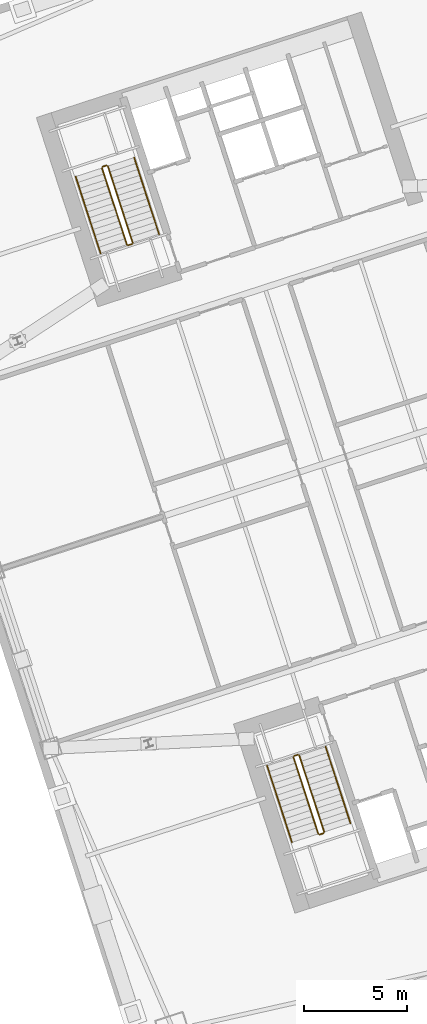
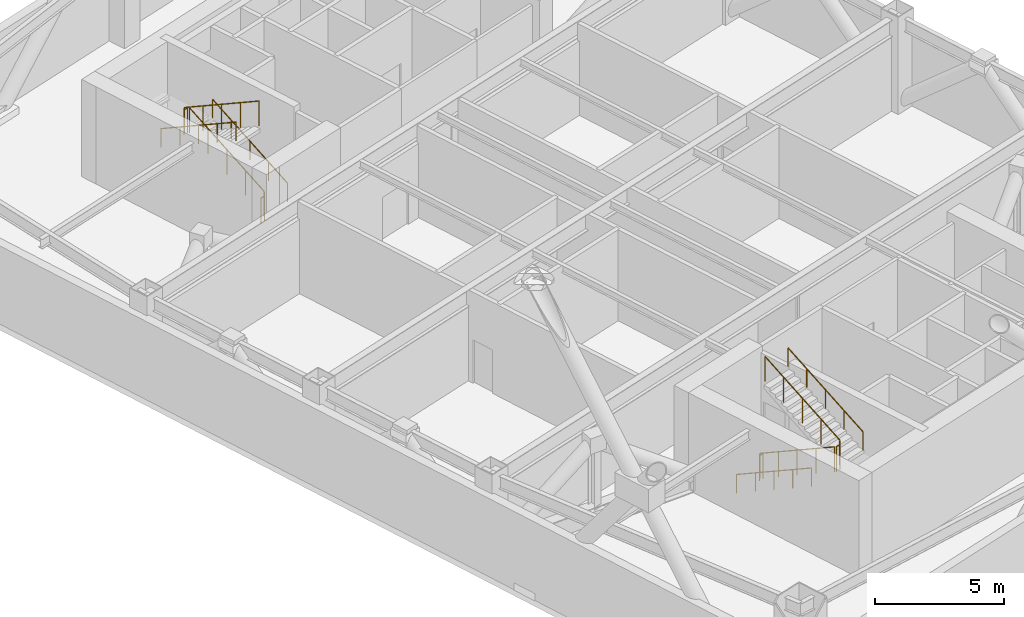
# One storey, part 19 of 19: 12 railings.
"""IFC4 building model written with IfcOpenShell, lengths in metres."""

from ifc_helpers import new_model, si_unit, direction, frame, origin, origin_2d, place, context, subcontext, project, spatial, circle, extrude, material, type_object, element, save


model = new_model("IFC4")

# Units and contexts
model_context = context("Model", 3, precision=1e-05, world=origin(), true_north=direction((0.0, 1.0)))
body_context = subcontext(model_context, "Body", "Model", "MODEL_VIEW")
ifc_project = project(units=[si_unit("LENGTHUNIT", "METRE"), si_unit("AREAUNIT", "SQUARE_METRE"), si_unit("VOLUMEUNIT", "CUBIC_METRE"), si_unit("PLANEANGLEUNIT", "RADIAN"), si_unit("MASSUNIT", "GRAM", prefix="KILO")], contexts=[model_context])

# Site, building, storey
site_placement = place(None, origin())
site = spatial("IfcSite", under=ifc_project, at=site_placement, CompositionType="ELEMENT")
building_placement = place(site_placement, origin())
building = spatial("IfcBuilding", under=site, at=building_placement, Name="Qiaolan Cultural Towers", CompositionType="ELEMENT")
storey_placement = place(building_placement, frame((0.0, 0.0, 92.0)))
storey = spatial("IfcBuildingStorey", under=building, at=storey_placement, Name="L23", CompositionType="ELEMENT", Elevation=92.0)

# Railings
ifc_material_1 = material(Name="Galvanized Painted Steel Stair Guardrail", Category="steel")
railing_type_1 = type_object("IfcRailingType", Name="RL-STAIR-GRD", PredefinedType="GUARDRAIL", material=ifc_material_1)
railing_1_placement = place(storey_placement, frame((88.60205078125, 19.82421875, 0.164306640625)))
element("IfcRailing", 1, at=railing_1_placement, inside=storey, type_object=railing_type_1, Name="L23 ST-E1 stair guard 1", PredefinedType="GUARDRAIL", context=body_context, shape_type="SweptSolid", body=[
    extrude(circle(Radius=0.02392578125, at=origin_2d()), frame((0.0, 0.0, 1.17578125), z_axis=(0.271063841875, -0.834165069801, 0.480305142541), x_axis=(0.951047408346, 0.309045024354, 0.0)), (0.0, 0.0, 1.0), 4.446533203125),
    extrude(circle(Radius=0.02099609375, at=origin_2d()), origin(), (0.0, 0.0, 1.0), 1.15185546875),
    extrude(circle(Radius=0.02099609375, at=origin_2d()), frame((0.30126953125, -0.92724609375, 0.533935546875)), (0.0, 0.0, 1.0), 1.15185546875),
    extrude(circle(Radius=0.02099609375, at=origin_2d()), frame((0.6025390625, -1.8544921875, 1.06787109375)), (0.0, 0.0, 1.0), 1.15185546875),
    extrude(circle(Radius=0.02099609375, at=origin_2d()), frame((0.904052734375, -2.781982421875, 1.601806640625)), (0.0, 0.0, 1.0), 1.15185546875),
    extrude(circle(Radius=0.02099609375, at=origin_2d()), frame((1.205322265625, -3.709228515625, 2.1357421875)), (0.0, 0.0, 1.0), 1.15185546875),
])
railing_2_placement = place(storey_placement, frame((89.870361328125, 16.0830078125, 2.300048828125)))
element("IfcRailing", 2, at=railing_2_placement, inside=storey, type_object=railing_type_1, Name="L23 ST-E1 stair guard 2", PredefinedType="GUARDRAIL", context=body_context, shape_type="SweptSolid", body=[
    extrude(circle(Radius=0.02392578125, at=origin_2d()), frame((0.0, 0.0, 1.17578125), z_axis=(0.951096855055, 0.308892816854, 0.0), x_axis=(-0.308892816854, 0.951096855055, 0.0)), (0.0, 0.0, 1.0), 0.199951171875),
    extrude(circle(Radius=0.02099609375, at=origin_2d()), origin(), (0.0, 0.0, 1.0), 1.15185546875),
    extrude(circle(Radius=0.02099609375, at=origin_2d()), frame((0.190185546875, 0.061767578125, 0.0)), (0.0, 0.0, 1.0), 1.15185546875),
])
railing_3_placement = place(storey_placement, frame((90.092529296875, 16.207763671875, 2.46435546875)))
element("IfcRailing", 3, at=railing_3_placement, inside=storey, type_object=railing_type_1, Name="L23 ST-E1 stair guard 3", PredefinedType="GUARDRAIL", context=body_context, shape_type="SweptSolid", body=[
    extrude(circle(Radius=0.02392578125, at=origin_2d()), frame((0.0, 0.0, 1.17578125), z_axis=(-0.27101297032, 0.834177483402, 0.480312290186), x_axis=(-0.951065805522, -0.308988403611, 0.0)), (0.0, 0.0, 1.0), 4.446533203125),
    extrude(circle(Radius=0.02099609375, at=origin_2d()), origin(), (0.0, 0.0, 1.0), 1.15185546875),
    extrude(circle(Radius=0.02099609375, at=origin_2d()), frame((-0.30126953125, 0.92724609375, 0.533935546875)), (0.0, 0.0, 1.0), 1.15185546875),
    extrude(circle(Radius=0.02099609375, at=origin_2d()), frame((-0.6025390625, 1.8544921875, 1.06787109375)), (0.0, 0.0, 1.0), 1.15185546875),
    extrude(circle(Radius=0.02099609375, at=origin_2d()), frame((-0.90380859375, 2.781982421875, 1.601806640625)), (0.0, 0.0, 1.0), 1.15185546875),
    extrude(circle(Radius=0.02099609375, at=origin_2d()), frame((-1.205078125, 3.709228515625, 2.1357421875)), (0.0, 0.0, 1.0), 1.15185546875),
])
railing_4_placement = place(storey_placement, frame((88.63427734375, 19.88720703125, 0.0)))
element("IfcRailing", 4, at=railing_4_placement, inside=storey, type_object=railing_type_1, Name="L23 ST-E1 stair guard 4", PredefinedType="GUARDRAIL", context=body_context, shape_type="SweptSolid", body=[
    extrude(circle(Radius=0.02392578125, at=origin_2d()), frame((0.0, 0.0, 1.17578125), z_axis=(0.951096855055, 0.308892816854, 0.0), x_axis=(-0.308892816854, 0.951096855055, 0.0)), (0.0, 0.0, 1.0), 0.199951171875),
    extrude(circle(Radius=0.02099609375, at=origin_2d()), origin(), (0.0, 0.0, 1.0), 1.15185546875),
    extrude(circle(Radius=0.02099609375, at=origin_2d()), frame((0.190185546875, 0.061767578125, 0.0)), (0.0, 0.0, 1.0), 1.15185546875),
])
railing_5_placement = place(storey_placement, frame((80.822021484375, 44.739501953125, 0.164306640625)))
element("IfcRailing", 5, at=railing_5_placement, inside=storey, type_object=railing_type_1, Name="L23 ST-E2 stair guard 1", PredefinedType="GUARDRAIL", context=body_context, shape_type="SweptSolid", body=[
    extrude(circle(Radius=0.02392578125, at=origin_2d()), frame((0.0, 0.0, 1.17578125), z_axis=(-0.27101297032, 0.834177483402, 0.480312290186), x_axis=(-0.951065805522, -0.308988403611, 0.0)), (0.0, 0.0, 1.0), 4.446533203125),
    extrude(circle(Radius=0.02099609375, at=origin_2d()), origin(), (0.0, 0.0, 1.0), 1.15185546875),
    extrude(circle(Radius=0.02099609375, at=origin_2d()), frame((-0.30126953125, 0.92724609375, 0.533935546875)), (0.0, 0.0, 1.0), 1.15185546875),
    extrude(circle(Radius=0.02099609375, at=origin_2d()), frame((-0.6025390625, 1.8544921875, 1.06787109375)), (0.0, 0.0, 1.0), 1.15185546875),
    extrude(circle(Radius=0.02099609375, at=origin_2d()), frame((-0.90380859375, 2.781982421875, 1.601806640625)), (0.0, 0.0, 1.0), 1.15185546875),
    extrude(circle(Radius=0.02099609375, at=origin_2d()), frame((-1.205078125, 3.709228515625, 2.1357421875)), (0.0, 0.0, 1.0), 1.15185546875),
])
railing_6_placement = place(storey_placement, frame((79.553955078125, 48.480712890625, 2.300048828125)))
element("IfcRailing", 6, at=railing_6_placement, inside=storey, type_object=railing_type_1, Name="L23 ST-E2 stair guard 2", PredefinedType="GUARDRAIL", context=body_context, shape_type="SweptSolid", body=[
    extrude(circle(Radius=0.02392578125, at=origin_2d()), frame((0.0, 0.0, 1.17578125), z_axis=(-0.951096855055, -0.308892816854, 0.0), x_axis=(0.308892816854, -0.951096855055, 0.0)), (0.0, 0.0, 1.0), 0.199951171875),
    extrude(circle(Radius=0.02099609375, at=origin_2d()), origin(), (0.0, 0.0, 1.0), 1.15185546875),
    extrude(circle(Radius=0.02099609375, at=origin_2d()), frame((-0.190185546875, -0.061767578125, 0.0)), (0.0, 0.0, 1.0), 1.15185546875),
])
railing_7_placement = place(storey_placement, frame((79.33154296875, 48.35595703125, 2.46435546875)))
element("IfcRailing", 7, at=railing_7_placement, inside=storey, type_object=railing_type_1, Name="L23 ST-E2 stair guard 3", PredefinedType="GUARDRAIL", context=body_context, shape_type="SweptSolid", body=[
    extrude(circle(Radius=0.02392578125, at=origin_2d()), frame((0.0, 0.0, 1.17578125), z_axis=(0.271063841875, -0.834165069801, 0.480305142541), x_axis=(0.951047408346, 0.309045024354, 0.0)), (0.0, 0.0, 1.0), 4.446533203125),
    extrude(circle(Radius=0.02099609375, at=origin_2d()), origin(), (0.0, 0.0, 1.0), 1.15185546875),
    extrude(circle(Radius=0.02099609375, at=origin_2d()), frame((0.30126953125, -0.92724609375, 0.533935546875)), (0.0, 0.0, 1.0), 1.15185546875),
    extrude(circle(Radius=0.02099609375, at=origin_2d()), frame((0.6025390625, -1.8544921875, 1.06787109375)), (0.0, 0.0, 1.0), 1.15185546875),
    extrude(circle(Radius=0.02099609375, at=origin_2d()), frame((0.904052734375, -2.781982421875, 1.601806640625)), (0.0, 0.0, 1.0), 1.15185546875),
    extrude(circle(Radius=0.02099609375, at=origin_2d()), frame((1.205322265625, -3.709228515625, 2.1357421875)), (0.0, 0.0, 1.0), 1.15185546875),
])
railing_8_placement = place(storey_placement, frame((80.7900390625, 44.676513671875, 0.0)))
element("IfcRailing", 8, at=railing_8_placement, inside=storey, type_object=railing_type_1, Name="L23 ST-E2 stair guard 4", PredefinedType="GUARDRAIL", context=body_context, shape_type="SweptSolid", body=[
    extrude(circle(Radius=0.02392578125, at=origin_2d()), frame((0.0, 0.0, 1.17578125), z_axis=(-0.951096855055, -0.308892816854, 0.0), x_axis=(0.308892816854, -0.951096855055, 0.0)), (0.0, 0.0, 1.0), 0.199951171875),
    extrude(circle(Radius=0.02099609375, at=origin_2d()), origin(), (0.0, 0.0, 1.0), 1.15185546875),
    extrude(circle(Radius=0.02099609375, at=origin_2d()), frame((-0.190185546875, -0.061767578125, 0.0)), (0.0, 0.0, 1.0), 1.15185546875),
])
ifc_material_2 = material(Name="Stainless Steel S30408 Tubular Handrail", Category="steel")
railing_type_2 = type_object("IfcRailingType", Name="RL-STAIR-HR", PredefinedType="HANDRAIL", material=ifc_material_2)
railing_9_placement = place(storey_placement, frame((87.32763671875, 19.41015625, 0.164306640625)))
element("IfcRailing", 9, at=railing_9_placement, inside=storey, type_object=railing_type_2, Name="L23 ST-E1 stair handrail 1", PredefinedType="HANDRAIL", context=body_context, shape_type="SweptSolid", body=[
    extrude(circle(Radius=0.02392578125, at=origin_2d()), frame((0.0, 0.0, 0.8759765625), z_axis=(0.271063841875, -0.834165069801, 0.480305142541), x_axis=(0.951047408346, 0.309045024354, 0.0)), (0.0, 0.0, 1.0), 4.446533203125),
    extrude(circle(Radius=0.02099609375, at=origin_2d()), origin(), (0.0, 0.0, 1.0), 0.851806640625),
    extrude(circle(Radius=0.02099609375, at=origin_2d()), frame((0.30126953125, -0.92724609375, 0.533935546875)), (0.0, 0.0, 1.0), 0.851806640625),
    extrude(circle(Radius=0.02099609375, at=origin_2d()), frame((0.6025390625, -1.8544921875, 1.06787109375)), (0.0, 0.0, 1.0), 0.851806640625),
    extrude(circle(Radius=0.02099609375, at=origin_2d()), frame((0.904052734375, -2.781982421875, 1.601806640625)), (0.0, 0.0, 1.0), 0.851806640625),
    extrude(circle(Radius=0.02099609375, at=origin_2d()), frame((1.205322265625, -3.709228515625, 2.1357421875)), (0.0, 0.0, 1.0), 0.851806640625),
])
for number, where, name in (
    (10, (91.366943359375, 16.621826171875, 2.46435546875), "L23 ST-E1 stair handrail 2"),
    (11, (82.096435546875, 45.153564453125, 0.164306640625), "L23 ST-E2 stair handrail 1"),
):
    element("IfcRailing", number, at=place(storey_placement, frame(where)), inside=storey, type_object=railing_type_2, Name=name, PredefinedType="HANDRAIL", context=body_context, shape_type="SweptSolid", body=[
        extrude(circle(Radius=0.02392578125, at=origin_2d()), frame((0.0, 0.0, 0.8759765625), z_axis=(-0.27101297032, 0.834177483402, 0.480312290186), x_axis=(-0.951065805522, -0.308988403611, 0.0)), (0.0, 0.0, 1.0), 4.446533203125),
        extrude(circle(Radius=0.02099609375, at=origin_2d()), origin(), (0.0, 0.0, 1.0), 0.851806640625),
        extrude(circle(Radius=0.02099609375, at=origin_2d()), frame((-0.30126953125, 0.92724609375, 0.533935546875)), (0.0, 0.0, 1.0), 0.851806640625),
        extrude(circle(Radius=0.02099609375, at=origin_2d()), frame((-0.6025390625, 1.8544921875, 1.06787109375)), (0.0, 0.0, 1.0), 0.851806640625),
        extrude(circle(Radius=0.02099609375, at=origin_2d()), frame((-0.90380859375, 2.781982421875, 1.601806640625)), (0.0, 0.0, 1.0), 0.851806640625),
        extrude(circle(Radius=0.02099609375, at=origin_2d()), frame((-1.205078125, 3.709228515625, 2.1357421875)), (0.0, 0.0, 1.0), 0.851806640625),
    ])
railing_10_placement = place(storey_placement, frame((78.05712890625, 47.94189453125, 2.46435546875)))
element("IfcRailing", 12, at=railing_10_placement, inside=storey, type_object=railing_type_2, Name="L23 ST-E2 stair handrail 2", PredefinedType="HANDRAIL", context=body_context, shape_type="SweptSolid", body=[
    extrude(circle(Radius=0.02392578125, at=origin_2d()), frame((0.0, 0.0, 0.8759765625), z_axis=(0.271063841875, -0.834165069801, 0.480305142541), x_axis=(0.951047408346, 0.309045024354, 0.0)), (0.0, 0.0, 1.0), 4.446533203125),
    extrude(circle(Radius=0.02099609375, at=origin_2d()), origin(), (0.0, 0.0, 1.0), 0.851806640625),
    extrude(circle(Radius=0.02099609375, at=origin_2d()), frame((0.30126953125, -0.92724609375, 0.533935546875)), (0.0, 0.0, 1.0), 0.851806640625),
    extrude(circle(Radius=0.02099609375, at=origin_2d()), frame((0.6025390625, -1.8544921875, 1.06787109375)), (0.0, 0.0, 1.0), 0.851806640625),
    extrude(circle(Radius=0.02099609375, at=origin_2d()), frame((0.904052734375, -2.781982421875, 1.601806640625)), (0.0, 0.0, 1.0), 0.851806640625),
    extrude(circle(Radius=0.02099609375, at=origin_2d()), frame((1.205322265625, -3.709228515625, 2.1357421875)), (0.0, 0.0, 1.0), 0.851806640625),
])

save(model, "model.ifc")
